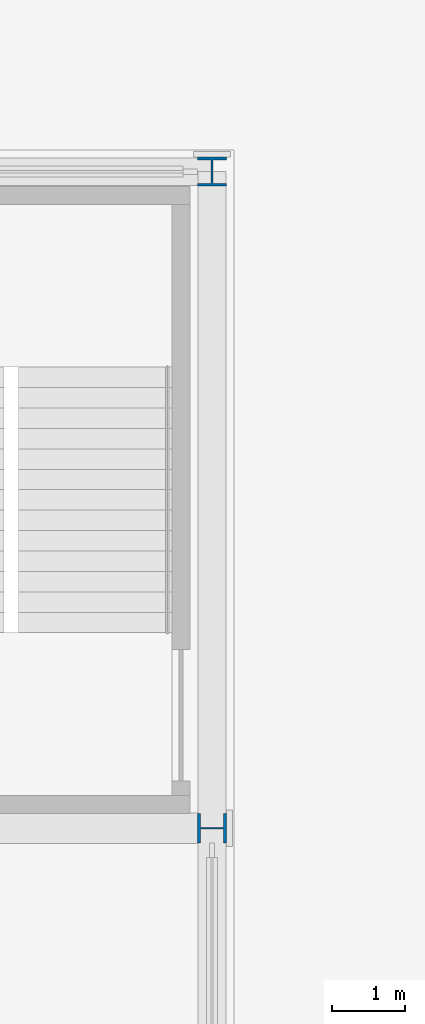
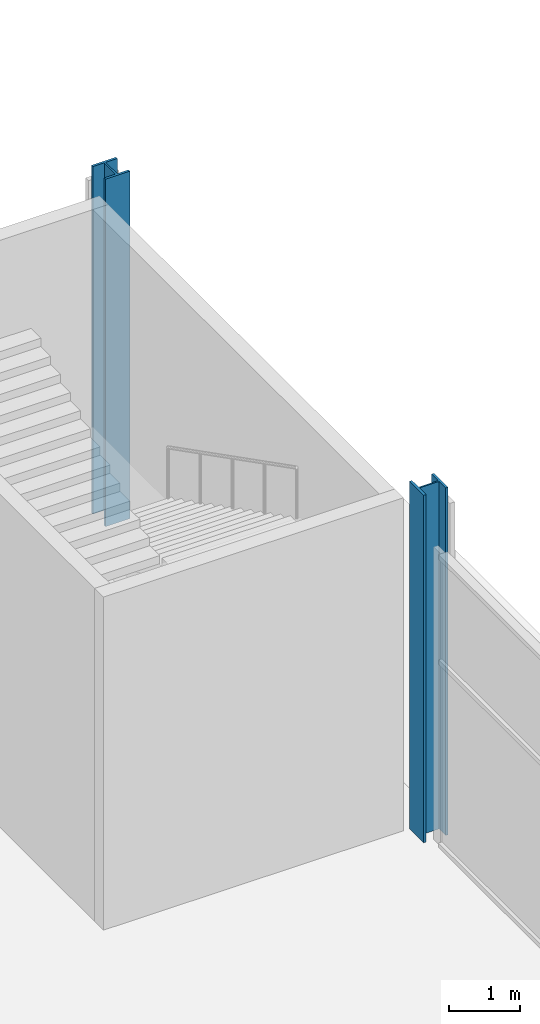
# One storey, part 5 of 34: 2 columns.
"""IFC4 building model written with IfcOpenShell, lengths in metres."""

from ifc_helpers import new_model, si_unit, direction, frame, origin, origin_2d, place, context, subcontext, project, spatial, i_section, extrude, material, material_profile, profile_set, type_object, element, save


model = new_model("IFC4")

# Units and contexts
model_context = context("Model", 3, precision=1e-05, world=origin(), true_north=direction((0.0, 1.0)))
body_context = subcontext(model_context, "Body", "Model", "MODEL_VIEW")
ifc_project = project(units=[si_unit("LENGTHUNIT", "METRE"), si_unit("AREAUNIT", "SQUARE_METRE"), si_unit("VOLUMEUNIT", "CUBIC_METRE"), si_unit("PLANEANGLEUNIT", "RADIAN"), si_unit("MASSUNIT", "GRAM", prefix="KILO")], contexts=[model_context])

# Site, building, storey
site_placement = place(None, origin())
site = spatial("IfcSite", under=ifc_project, at=site_placement, CompositionType="ELEMENT")
building_placement = place(site_placement, origin())
building = spatial("IfcBuilding", under=site, at=building_placement, Name="Loomwork Tower", CompositionType="ELEMENT")
storey_placement = place(building_placement, origin())
storey = spatial("IfcBuildingStorey", under=building, at=storey_placement, Name="L00", CompositionType="ELEMENT", Elevation=0.0)

# Columns
ifc_material = material(Name="Steel ASTM A992", Category="steel")
ifc_material_profile = material_profile(ifc_material, i_section(OverallWidth=0.4013671875, OverallDepth=0.398681640625, WebThickness=0.02490234375, FlangeThickness=0.03955078125, at=origin_2d()), Name="W14x211")
ifc_profile_set = profile_set([ifc_material_profile], Name="Steel ASTM A992")
column_type = type_object("IfcColumnType", Name="PODIUM COLUMN W14x211", PredefinedType="COLUMN", material=ifc_profile_set)
for number, where, z_axis, x_axis, name in (
    (1, (63.0, 36.0, 0.0), (0.0, 0.0, 1.0), (0.0, 1.0, 0.0), "Podium Column H/9 L00"),
    (2, (63.0, 45.0, 0.0), (0.0, 0.0, 1.0), (1.0, 0.0, 0.0), "Podium Column J/9 L00"),
):
    element("IfcColumn", number, at=place(storey_placement, frame(where, z_axis=z_axis, x_axis=x_axis)), inside=storey, type_object=column_type, Name=name, PredefinedType="COLUMN", context=body_context, shape_type="SweptSolid", body=[
        extrude(i_section(OverallWidth=0.4013671875, OverallDepth=0.398681640625, WebThickness=0.02490234375, FlangeThickness=0.03955078125, at=origin_2d()), origin(), (0.0, 0.0, 1.0), 6.0),
    ])

save(model, "model.ifc")
